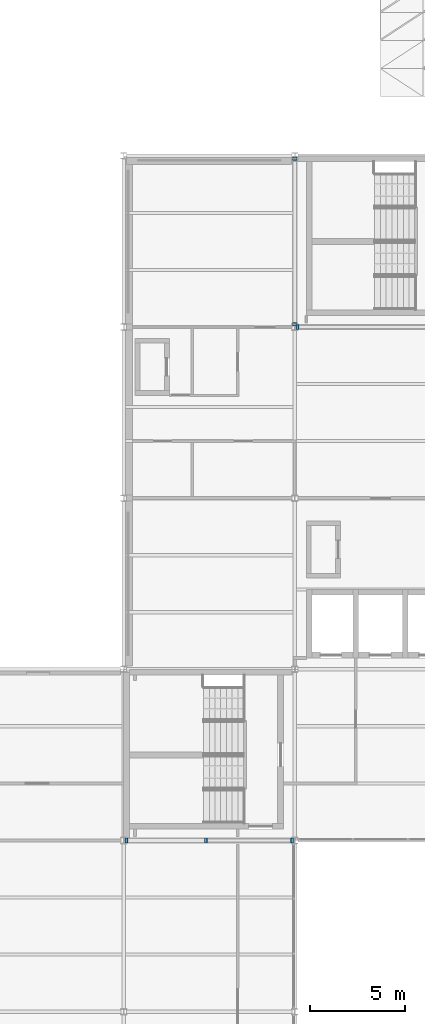
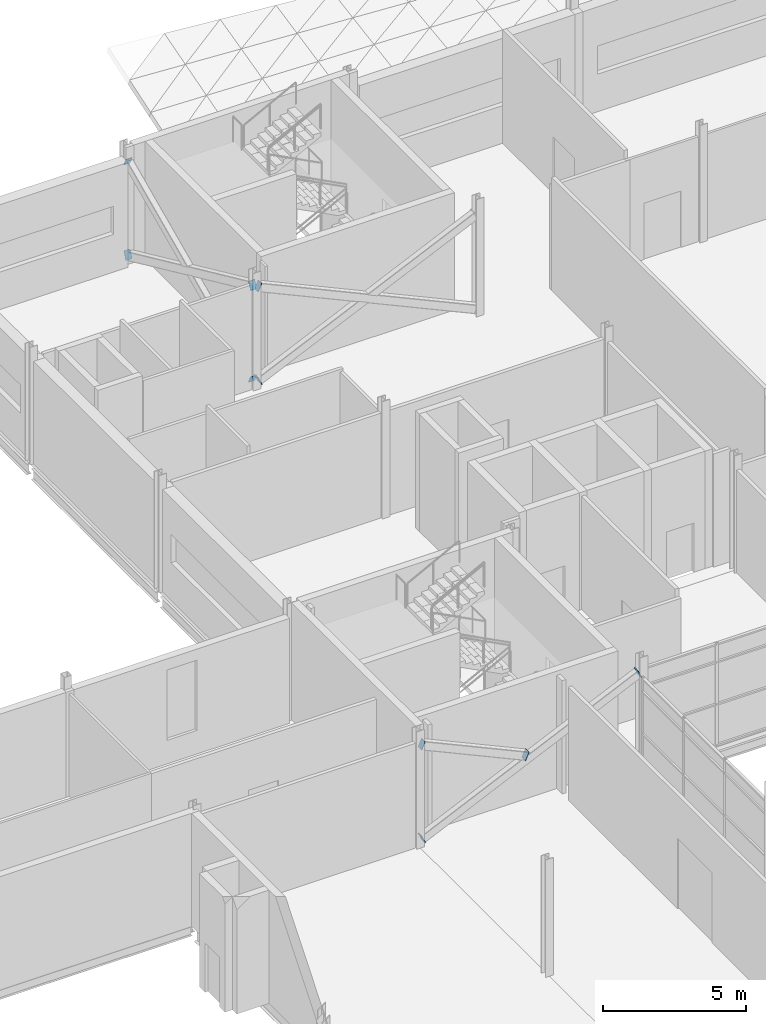
# One storey, part 101 of 112: 10 discrete accessories.
"""IFC4 building model written with IfcOpenShell, lengths in metres."""

from ifc_helpers import new_model, si_unit, direction, frame, origin, place, context, subcontext, project, spatial, polyline, outline, extrude, material, layer, layer_set, type_object, element, save


model = new_model("IFC4")

# Units and contexts
model_context = context("Model", 3, precision=1e-05, world=origin(), true_north=direction((0.0, 1.0)))
body_context = subcontext(model_context, "Body", "Model", "MODEL_VIEW")
ifc_project = project(units=[si_unit("LENGTHUNIT", "METRE"), si_unit("AREAUNIT", "SQUARE_METRE"), si_unit("VOLUMEUNIT", "CUBIC_METRE"), si_unit("PLANEANGLEUNIT", "RADIAN"), si_unit("MASSUNIT", "GRAM", prefix="KILO")], contexts=[model_context])

# Site, building, storey
site_placement = place(None, origin())
site = spatial("IfcSite", under=ifc_project, at=site_placement, CompositionType="ELEMENT")
building_placement = place(site_placement, origin())
building = spatial("IfcBuilding", under=site, at=building_placement, Name="Shorebreak Coast Museum", CompositionType="ELEMENT")
storey_placement = place(building_placement, frame((0.0, 0.0, 6.0)))
storey = spatial("IfcBuildingStorey", under=building, at=storey_placement, Name="L01", CompositionType="ELEMENT", Elevation=6.0)

# Discrete accessories
ifc_material = material(Name="Steel Grade 300", Category="steel")
ifc_layer = layer(ifc_material, 0.02490234375)
ifc_layer_set = layer_set([ifc_layer], Name="Steel Grade 300")
discrete_accessory_type = type_object("IfcDiscreteAccessoryType", Name="End plate 250 x 350 x 25", PredefinedType="BRACKET", material=ifc_layer_set)
discrete_accessory_1_placement = place(storey_placement, frame((54.227294921875, 80.875, 0.140869140625), z_axis=(0.909383974787, 0.0, 0.415957673809), x_axis=(0.0, 1.0, 0.0)))
element("IfcDiscreteAccessory", 1, at=discrete_accessory_1_placement, inside=storey, type_object=discrete_accessory_type, Name="End plate X-brace bay 03 L01 diagonal 1 end 1", PredefinedType="BRACKET", context=body_context, shape_type="SweptSolid", body=[
    extrude(outline(polyline([(0.0, 0.0), (0.25, 0.0), (0.25, 0.34981398748477216), (0.0, 0.34981398748477216), (0.0, 0.0)])), origin(), (0.0, 0.0, -1.0), 0.02490234375),
])
discrete_accessory_2_placement = place(storey_placement, frame((62.93994140625, 80.875, 4.126220703125), z_axis=(0.909504613819, 0.0, 0.415693826562), x_axis=(0.0, 1.0, 0.0)))
element("IfcDiscreteAccessory", 2, at=discrete_accessory_2_placement, inside=storey, type_object=discrete_accessory_type, Name="End plate X-brace bay 03 L01 diagonal 1 end 2", PredefinedType="BRACKET", context=body_context, shape_type="SweptSolid", body=[
    extrude(outline(polyline([(0.0, 0.0), (0.25, 0.0), (0.25, 0.3500360197878581), (0.0, 0.3500360197878581), (0.0, 0.0)])), origin(), (0.0, 0.0, -1.0), 0.02490234375),
])
discrete_accessory_3_placement = place(storey_placement, frame((58.240478515625, 81.125, 2.213623046875), z_axis=(-0.909383974787, 0.0, 0.415957673809), x_axis=(0.0, -1.0, 0.0)))
element("IfcDiscreteAccessory", 3, at=discrete_accessory_3_placement, inside=storey, type_object=discrete_accessory_type, Name="End plate X-brace bay 03 L01 diagonal 2 end 1", PredefinedType="BRACKET", context=body_context, shape_type="SweptSolid", body=[
    extrude(outline(polyline([(0.0, 0.0), (0.25, 0.0), (0.25, 0.34981398748477216), (0.0, 0.34981398748477216), (0.0, 0.0)])), origin(), (0.0, 0.0, -1.0), 0.02490234375),
])
discrete_accessory_4_placement = place(storey_placement, frame((54.05908203125, 81.125, 4.126220703125), z_axis=(-0.909504613819, 0.0, 0.415693826562), x_axis=(0.0, -1.0, 0.0)))
element("IfcDiscreteAccessory", 4, at=discrete_accessory_4_placement, inside=storey, type_object=discrete_accessory_type, Name="End plate X-brace bay 03 L01 diagonal 2 end 2", PredefinedType="BRACKET", context=body_context, shape_type="SweptSolid", body=[
    extrude(outline(polyline([(0.0, 0.0), (0.25, 0.0), (0.25, 0.3500360197878581), (0.0, 0.3500360197878581), (0.0, 0.0)])), origin(), (0.0, 0.0, -1.0), 0.02490234375),
])
discrete_accessory_5_placement = place(storey_placement, frame((63.227294921875, 107.875, 0.140869140625), z_axis=(0.909383974787, 0.0, 0.415957673809), x_axis=(0.0, 1.0, 0.0)))
element("IfcDiscreteAccessory", 5, at=discrete_accessory_5_placement, inside=storey, type_object=discrete_accessory_type, Name="End plate X-brace bay 09 L01 diagonal 1 end 1", PredefinedType="BRACKET", context=body_context, shape_type="SweptSolid", body=[
    extrude(outline(polyline([(0.0, 0.0), (0.25, 0.0), (0.25, 0.34981398748477216), (0.0, 0.34981398748477216), (0.0, 0.0)])), origin(), (0.0, 0.0, -1.0), 0.02490234375),
])
discrete_accessory_6_placement = place(storey_placement, frame((63.05908203125, 108.125, 4.126220703125), z_axis=(-0.909504613819, 0.0, 0.415693826562), x_axis=(0.0, -1.0, 0.0)))
element("IfcDiscreteAccessory", 6, at=discrete_accessory_6_placement, inside=storey, type_object=discrete_accessory_type, Name="End plate X-brace bay 09 L01 diagonal 2 end 2", PredefinedType="BRACKET", context=body_context, shape_type="SweptSolid", body=[
    extrude(outline(polyline([(0.0, 0.0), (0.25, 0.0), (0.25, 0.3500360197878581), (0.0, 0.3500360197878581), (0.0, 0.0)])), origin(), (0.0, 0.0, -1.0), 0.02490234375),
])
discrete_accessory_7_placement = place(storey_placement, frame((63.125, 108.233154296875, 0.140869140625), z_axis=(0.0, 0.90911987121, 0.416534584123), x_axis=(-1.0, 0.0, 0.0)))
element("IfcDiscreteAccessory", 7, at=discrete_accessory_7_placement, inside=storey, type_object=discrete_accessory_type, Name="End plate X-brace bay 10 L01 diagonal 1 end 1", PredefinedType="BRACKET", context=body_context, shape_type="SweptSolid", body=[
    extrude(outline(polyline([(0.0, 0.0), (0.25, 0.0), (0.25, 0.3499156100850795), (0.0, 0.3499156100850795), (0.0, 0.0)])), origin(), (0.0, 0.0, -1.0), 0.02490234375),
])
discrete_accessory_8_placement = place(storey_placement, frame((63.125, 116.931884765625, 4.126220703125), z_axis=(0.0, 0.909240810047, 0.416270524232), x_axis=(-1.0, 0.0, 0.0)))
element("IfcDiscreteAccessory", 8, at=discrete_accessory_8_placement, inside=storey, type_object=discrete_accessory_type, Name="End plate X-brace bay 10 L01 diagonal 1 end 2", PredefinedType="BRACKET", context=body_context, shape_type="SweptSolid", body=[
    extrude(outline(polyline([(0.0, 0.0), (0.25, 0.0), (0.25, 0.35013757794635925), (0.0, 0.35013757794635925), (0.0, 0.0)])), origin(), (0.0, 0.0, -1.0), 0.02490234375),
])
discrete_accessory_9_placement = place(storey_placement, frame((62.875, 116.763427734375, 0.140869140625), z_axis=(0.0, -0.90911987121, 0.416534584123), x_axis=(1.0, 0.0, 0.0)))
element("IfcDiscreteAccessory", 9, at=discrete_accessory_9_placement, inside=storey, type_object=discrete_accessory_type, Name="End plate X-brace bay 10 L01 diagonal 2 end 1", PredefinedType="BRACKET", context=body_context, shape_type="SweptSolid", body=[
    extrude(outline(polyline([(0.0, 0.0), (0.25, 0.0), (0.25, 0.3499156100850795), (0.0, 0.3499156100850795), (0.0, 0.0)])), origin(), (0.0, 0.0, -1.0), 0.02490234375),
])
discrete_accessory_10_placement = place(storey_placement, frame((62.875, 108.064697265625, 4.126220703125), z_axis=(0.0, -0.909240810047, 0.416270524232), x_axis=(1.0, 0.0, 0.0)))
element("IfcDiscreteAccessory", 10, at=discrete_accessory_10_placement, inside=storey, type_object=discrete_accessory_type, Name="End plate X-brace bay 10 L01 diagonal 2 end 2", PredefinedType="BRACKET", context=body_context, shape_type="SweptSolid", body=[
    extrude(outline(polyline([(0.0, 0.0), (0.25, 0.0), (0.25, 0.35013757794635925), (0.0, 0.35013757794635925), (0.0, 0.0)])), origin(), (0.0, 0.0, -1.0), 0.02490234375),
])

save(model, "model.ifc")
